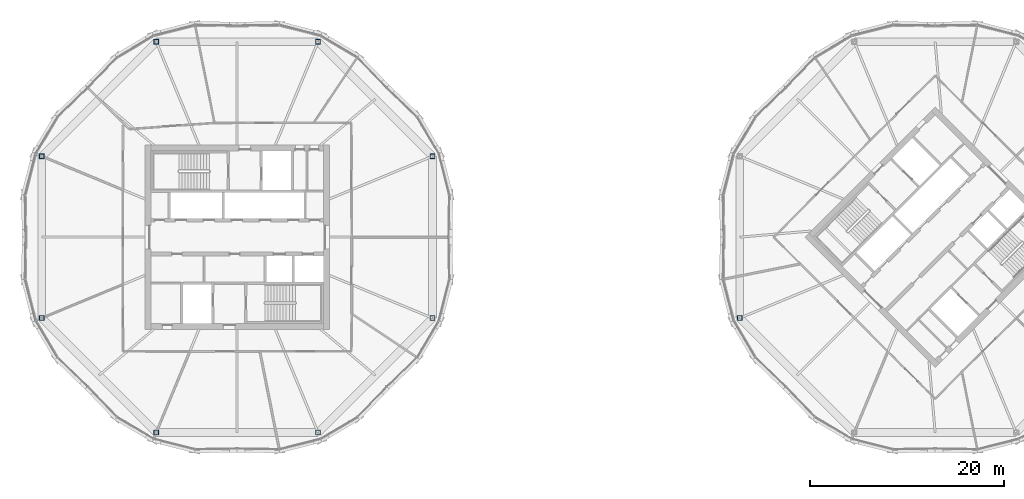
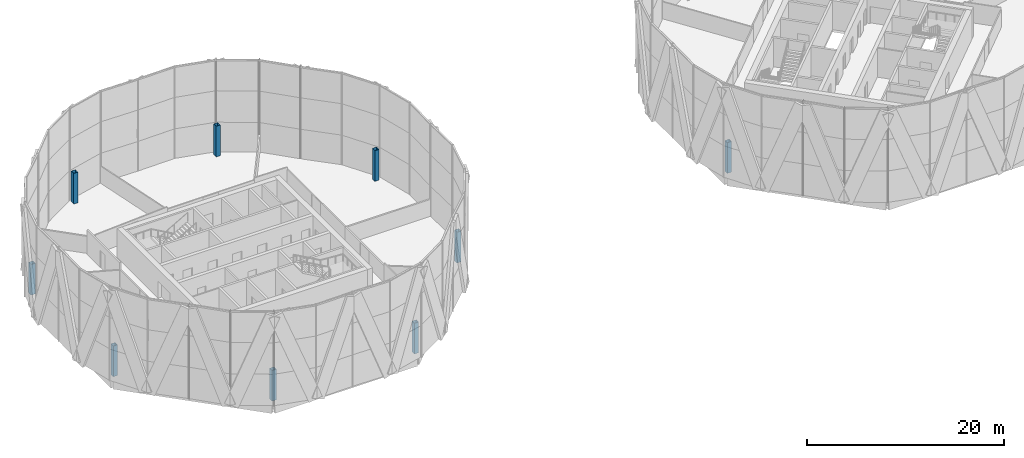
# One storey, part 1 of 23: 9 columns.
"""IFC4 building model written with IfcOpenShell, lengths in metres."""

from ifc_helpers import new_model, si_unit, direction, frame, origin, origin_2d, place, context, subcontext, project, spatial, hollow_rectangle, extrude, material, material_profile, profile_set, type_object, element, save


model = new_model("IFC4")

# Units and contexts
model_context = context("Model", 3, precision=1e-05, world=origin(), true_north=direction((0.0, 1.0)))
body_context = subcontext(model_context, "Body", "Model", "MODEL_VIEW")
ifc_project = project(units=[si_unit("LENGTHUNIT", "METRE"), si_unit("AREAUNIT", "SQUARE_METRE"), si_unit("VOLUMEUNIT", "CUBIC_METRE"), si_unit("PLANEANGLEUNIT", "RADIAN"), si_unit("MASSUNIT", "GRAM", prefix="KILO")], contexts=[model_context])

# Site, building, storey
site_placement = place(None, origin())
site = spatial("IfcSite", under=ifc_project, at=site_placement, CompositionType="ELEMENT")
building_placement = place(site_placement, origin())
building = spatial("IfcBuilding", under=site, at=building_placement, Name="Ogive Gate Towers", CompositionType="ELEMENT")
storey_placement = place(building_placement, frame((0.0, 0.0, 177.300048828125)))
storey = spatial("IfcBuildingStorey", under=building, at=storey_placement, Name="L42", CompositionType="ELEMENT", Elevation=177.300048828125)

# Columns
ifc_material = material(Name="Steel SM460", Category="steel")
ifc_material_profile = material_profile(ifc_material, hollow_rectangle(XDim=0.5, YDim=0.5, WallThickness=0.030029296875, at=origin_2d()), Name="BX 500x500x30")
ifc_profile_set = profile_set([ifc_material_profile], Name="Steel SM460")
column_type = type_object("IfcColumnType", Name="Perimeter post BX 500x500x30", PredefinedType="COLUMN", material=ifc_profile_set)
for number, where, z_axis, x_axis, name in (
    (1, (-15.85009765625, 8.346435546875, 0.0), (0.0, 0.0, 1.0), (1.0, 0.0, 0.0), "T1/L42/SCL001"),
    (2, (-27.653564453125, 20.14990234375, 0.0), (0.0, 0.0, 1.0), (1.0, 0.0, 0.0), "T1/L42/SCL002"),
    (3, (-44.346435546875, 20.14990234375, 0.0), (0.0, 0.0, 1.0), (1.0, 0.0, 0.0), "T1/L42/SCL003"),
    (4, (-56.14990234375, 8.346435546875, 0.0), (0.0, 0.0, 1.0), (1.0, 0.0, 0.0), "T1/L42/SCL004"),
    (5, (-56.14990234375, -8.346435546875, 0.0), (0.0, 0.0, 1.0), (1.0, 0.0, 0.0), "T1/L42/SCL005"),
    (6, (-44.346435546875, -20.14990234375, 0.0), (0.0, 0.0, 1.0), (1.0, 0.0, 0.0), "T1/L42/SCL006"),
    (7, (-27.653564453125, -20.14990234375, 0.0), (0.0, 0.0, 1.0), (1.0, 0.0, 0.0), "T1/L42/SCL007"),
    (8, (-15.85009765625, -8.346435546875, 0.0), (0.0, 0.0, 1.0), (1.0, 0.0, 0.0), "T1/L42/SCL008"),
    (9, (15.85009765625, -8.346435546875, 0.0), (0.0, 0.0, 1.0), (1.0, 0.0, 0.0), "T2/L42/SCL005"),
):
    element("IfcColumn", number, at=place(storey_placement, frame(where, z_axis=z_axis, x_axis=x_axis)), inside=storey, type_object=column_type, Name=name, PredefinedType="COLUMN", context=body_context, shape_type="SweptSolid", body=[
        extrude(hollow_rectangle(XDim=0.5, YDim=0.5, WallThickness=0.030029296875, at=origin_2d()), origin(), (0.0, 0.0, 1.0), 3.800048828125),
    ])

save(model, "model.ifc")
